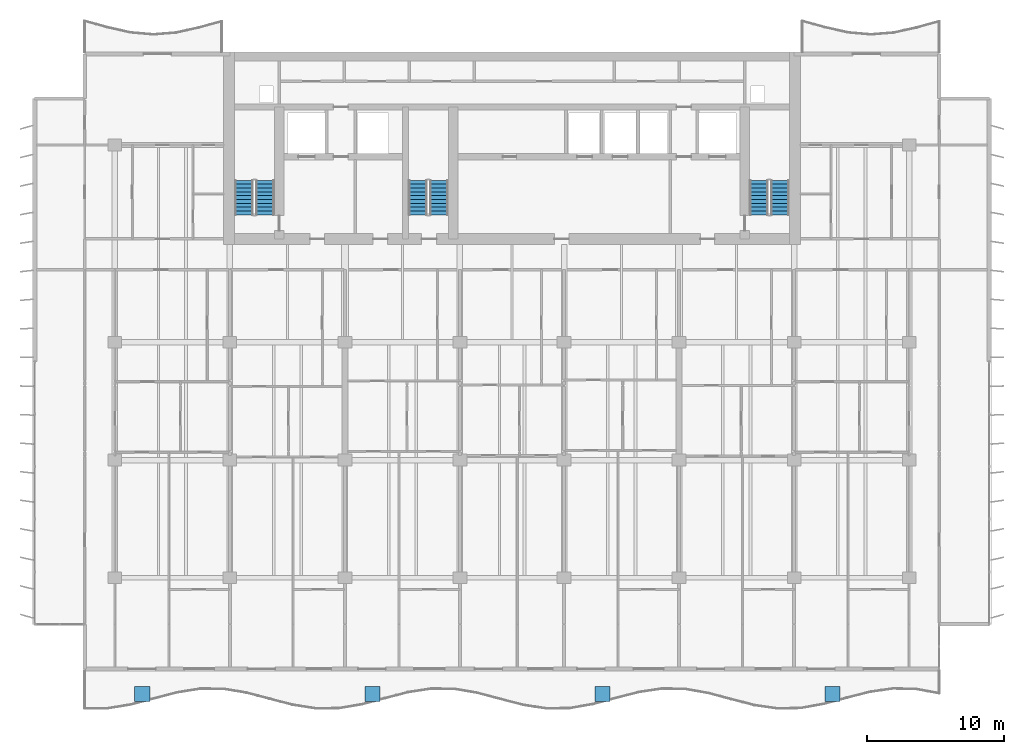
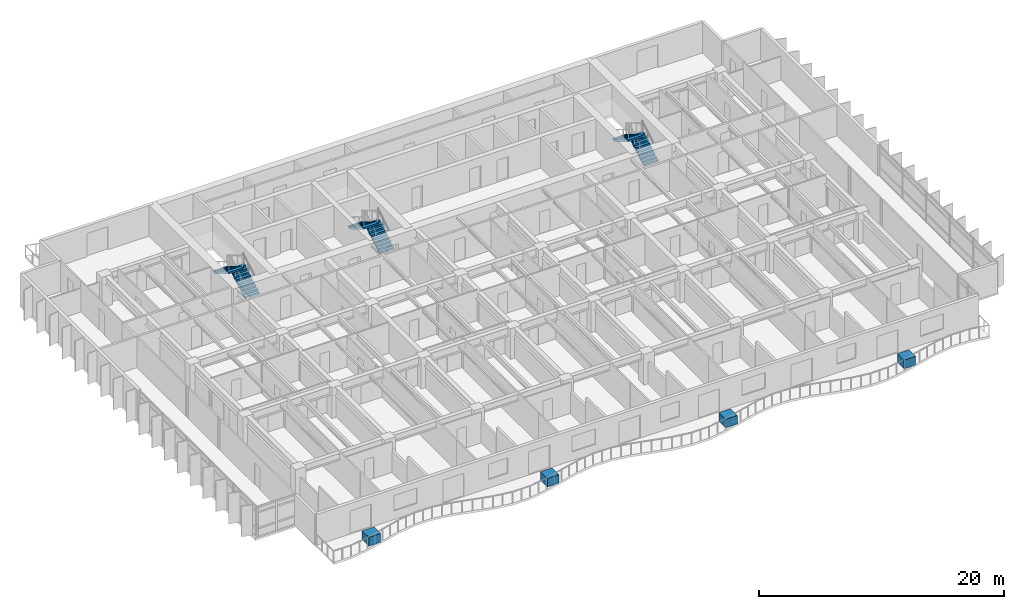
# One storey, part 14 of 18: 6 stair flights, 4 discrete accessories, 3 elements without a shape of their own.
"""IFC4 building model written with IfcOpenShell, lengths in metres."""

import ifcopenshell
import ifcopenshell.guid

model = None  # the IFC model being written
_history = None  # IfcOwnerHistory: only IFC2X3 demands one
_inside = {}  # id of a spatial element -> (the spatial element, [elements in it])
_under = {}  # id of a project, library or spatial element -> (it, [spatial elements below it])
_declared = {}  # id of a project -> (the project, [libraries it declares])
_typed = {}  # id of a type object -> (the type object, [elements of that type])
_made_of = {}  # id of a material, layer set ... -> (it, [elements and type objects made of it])


def new_model(schema):
    """Start an empty IFC model of exactly this schema.

    Asked for "IFC4X3", IfcOpenShell would pick the latest addendum, in which some entities
    have other attributes; the version numbers below select the first issue.
    IFC2X3 requires an IfcOwnerHistory on every rooted entity: one is made here for all.
    """
    global model, _history
    if schema == "IFC4X3":
        model = ifcopenshell.file(schema_version=(4, 3, 0, 0))
    else:
        model = ifcopenshell.file(schema=schema)
    _inside.clear()
    _under.clear()
    _declared.clear()
    _typed.clear()
    _made_of.clear()
    _history = None
    if model.schema == "IFC2X3":
        org = make("IfcOrganization", Name="unknown")
        user = make(
            "IfcPersonAndOrganization",
            ThePerson=make("IfcPerson", FamilyName="unknown"),
            TheOrganization=org,
        )
        app = make(
            "IfcApplication",
            ApplicationDeveloper=org,
            Version="unknown",
            ApplicationFullName="unknown",
            ApplicationIdentifier="unknown",
        )
        _history = make(
            "IfcOwnerHistory",
            OwningUser=user,
            OwningApplication=app,
            ChangeAction="ADDED",
            CreationDate=0,
        )
    return model


def make(cls, **values):
    """One entity of the class cls with the attributes given. An attribute that is None is left unset."""
    return model.create_entity(
        cls, **{name: value for name, value in values.items() if value is not None}
    )


def rooted(cls, **values):
    """An entity with a GlobalId (a new one), such as an element, a storey or a relation."""
    return make(cls, GlobalId=ifcopenshell.guid.new(), OwnerHistory=_history, **values)


def si_unit(unit_type, name, prefix=None):
    """IfcSIUnit, for example si_unit("LENGTHUNIT", "METRE", prefix="MILLI")."""
    return make("IfcSIUnit", UnitType=unit_type, Prefix=prefix, Name=name)


def assignment(units):
    """IfcUnitAssignment: the units of a project."""
    return None if units is None else make("IfcUnitAssignment", Units=units)


def point(xyz):
    """IfcCartesianPoint."""
    return None if xyz is None else make("IfcCartesianPoint", Coordinates=xyz)


def direction(xyz):
    """IfcDirection."""
    return None if xyz is None else make("IfcDirection", DirectionRatios=xyz)


def frame(location, z_axis=None, x_axis=None):
    """IfcAxis2Placement3D, a coordinate frame: its origin and axes. An axis left out is left unset."""
    return make(
        "IfcAxis2Placement3D",
        Location=point(location),
        Axis=direction(z_axis),
        RefDirection=direction(x_axis),
    )


def frame_2d(location, x_axis=None):
    """IfcAxis2Placement2D, a coordinate frame in the plane: its origin and x axis."""
    return make(
        "IfcAxis2Placement2D", Location=point(location), RefDirection=direction(x_axis)
    )


def origin():
    """The frame at (0, 0, 0) with its axes left unset."""
    return frame((0.0, 0.0, 0.0))


def origin_2d():
    """The frame at (0, 0) in the plane with its x axis left unset."""
    return frame_2d((0.0, 0.0))


def place(relative_to, where):
    """IfcLocalPlacement: puts the frame where relative to a parent placement (None: the world)."""
    return make(
        "IfcLocalPlacement", PlacementRelTo=relative_to, RelativePlacement=where
    )


def context(
    kind, dimensions, precision=None, world=None, true_north=None, identifier=None
):
    """IfcGeometricRepresentationContext, for example the 3D "Model" context."""
    return make(
        "IfcGeometricRepresentationContext",
        ContextIdentifier=identifier,
        ContextType=kind,
        CoordinateSpaceDimension=dimensions,
        Precision=precision,
        WorldCoordinateSystem=world,
        TrueNorth=true_north,
    )


def subcontext(parent, identifier, kind, view, scale=None):
    """IfcGeometricRepresentationSubContext, for example "Body" below "Model"."""
    return make(
        "IfcGeometricRepresentationSubContext",
        ContextIdentifier=identifier,
        ContextType=kind,
        ParentContext=parent,
        TargetScale=scale,
        TargetView=view,
    )


def project(units=None, contexts=None):
    """IfcProject with its units and contexts."""
    return rooted(
        "IfcProject",
        Name="project",
        RepresentationContexts=contexts,
        UnitsInContext=assignment(units),
    )


def spatial(cls, under=None, at=None, **own):
    """A site, building, storey or space (cls), placed at a placement, below another one or the project."""
    s = rooted(cls, ObjectPlacement=at, **own)
    if under is not None:
        _under.setdefault(under.id(), (under, []))[1].append(s)
    return s


def polyline(points):
    """IfcPolyline through the points."""
    return make("IfcPolyline", Points=[point(p) for p in points])


def profile(cls, at=None, kind="AREA", **sizes):
    """A parametric profile (cls). Its sizes go by their IFC names, for example OverallWidth=200.0."""
    return make(cls, ProfileType=kind, Position=at, **sizes)


def rectangle(**sizes):
    """IfcRectangleProfileDef."""
    return profile("IfcRectangleProfileDef", **sizes)


def outline(outer, holes=None, kind="AREA"):
    """IfcArbitraryClosedProfileDef: a profile drawn as a closed curve; with holes, ...WithVoids."""
    if holes is None:
        return make("IfcArbitraryClosedProfileDef", ProfileType=kind, OuterCurve=outer)
    return make(
        "IfcArbitraryProfileDefWithVoids",
        ProfileType=kind,
        OuterCurve=outer,
        InnerCurves=holes,
    )


def extrude(swept, where, along, depth):
    """IfcExtrudedAreaSolid: the profile swept, set in the frame where, extruded along a direction by depth."""
    return make(
        "IfcExtrudedAreaSolid",
        SweptArea=swept,
        Position=where,
        ExtrudedDirection=direction(along),
        Depth=depth,
    )


def shape(context_of_items, identifier, shape_type, items):
    """IfcShapeRepresentation: the items that make up one representation, for example the "Body"."""
    return make(
        "IfcShapeRepresentation",
        ContextOfItems=context_of_items,
        RepresentationIdentifier=identifier,
        RepresentationType=shape_type,
        Items=items,
    )


def material(Name=None, Category=None):
    """IfcMaterial."""
    return make("IfcMaterial", Name=Name, Category=Category)


def made_of(thing, what):
    """Note that an element or type object is made of a material, layer set ...; save() writes the relation."""
    if what is not None:
        _made_of.setdefault(what.id(), (what, []))[1].append(thing)
    return thing


def type_object(cls, material=None, **own):
    """A type object (cls), such as IfcWallType, which elements share."""
    return made_of(rooted(cls, **own), material)


def element(
    cls,
    number,
    at=None,
    inside=None,
    cuts=None,
    type_object=None,
    material=None,
    context=None,
    identifier="Body",
    shape_type=None,
    held_by="IfcProductDefinitionShape",
    body=None,
    shapes=None,
    **own,
):
    """One element of the class cls, such as IfcWall. Its Tag is "e" and its number.

    at: its placement. inside: the storey or other place that contains it. cuts: it is an
    opening in that element (IfcRelVoidsElement). A single representation is given by context,
    identifier, shape_type and body (its items); several are given by shapes. held_by: the class
    of the entity that holds the representations. save() writes the other relations.
    """
    e = rooted(cls, Tag="e%d" % number, ObjectPlacement=at, **own)
    if body is not None:
        shapes = [shape(context, identifier, shape_type, body)]
    if shapes is not None:
        e.Representation = make(held_by, Representations=shapes)
    if inside is not None:
        _inside.setdefault(inside.id(), (inside, []))[1].append(e)
    if cuts is not None:
        rooted(
            "IfcRelVoidsElement", RelatingBuildingElement=cuts, RelatedOpeningElement=e
        )
    if type_object is not None:
        _typed.setdefault(type_object.id(), (type_object, []))[1].append(e)
    return made_of(e, material)


def aggregate(whole, parts):
    """IfcRelAggregates: a whole, such as a stair, and the parts it consists of."""
    return rooted("IfcRelAggregates", RelatingObject=whole, RelatedObjects=parts)


def save(model, path):
    """Write the relations noted so far, then the file.

    IfcRelAggregates (storeys below a building ...), IfcRelContainedInSpatialStructure (elements
    in a storey), IfcRelDefinesByType, IfcRelAssociatesMaterial and IfcRelDeclares: one each for
    every whole, place, type object, material and project.
    """
    for whole, parts in _under.values():
        aggregate(whole, parts)
    for where, things in _inside.values():
        rooted(
            "IfcRelContainedInSpatialStructure",
            RelatedElements=things,
            RelatingStructure=where,
        )
    for kind, things in _typed.values():
        rooted("IfcRelDefinesByType", RelatedObjects=things, RelatingType=kind)
    for what, things in _made_of.values():
        rooted("IfcRelAssociatesMaterial", RelatedObjects=things, RelatingMaterial=what)
    for by, libraries in _declared.values():
        rooted("IfcRelDeclares", RelatingContext=by, RelatedDefinitions=libraries)
    model.write(path)


model = new_model("IFC4")

# Units and contexts
model_context = context("Model", 3, precision=1e-05, world=origin(), true_north=direction((0.0, 1.0)))
body_context = subcontext(model_context, "Body", "Model", "MODEL_VIEW")
ifc_project = project(units=[si_unit("LENGTHUNIT", "METRE"), si_unit("AREAUNIT", "SQUARE_METRE"), si_unit("VOLUMEUNIT", "CUBIC_METRE"), si_unit("PLANEANGLEUNIT", "RADIAN"), si_unit("MASSUNIT", "GRAM", prefix="KILO")], contexts=[model_context])

# Site, building, storey
site_placement = place(None, origin())
site = spatial("IfcSite", under=ifc_project, at=site_placement, CompositionType="ELEMENT")
building_placement = place(site_placement, origin())
building = spatial("IfcBuilding", under=site, at=building_placement, Name="Caelmar Bay Residences", CompositionType="ELEMENT")
storey_placement = place(building_placement, frame((0.0, 0.0, 129.0)))
storey = spatial("IfcBuildingStorey", under=building, at=storey_placement, Name="L35", CompositionType="ELEMENT", Elevation=129.0)

# Stair, stair flights
ifc_material_1 = material(Name="Concrete f'c 40 MPa (6,000 psi)", Category="concrete")
stair_type = type_object("IfcStairType", Name="ST-TYP-165", PredefinedType="HALF_TURN_STAIR", material=ifc_material_1)
stair_1_placement = place(storey_placement, origin())
stair_1 = element("IfcStair", 1, at=stair_1_placement, inside=storey, type_object=stair_type, Name="L35 West Smokeproof Exit Stair ST1", PredefinedType="HALF_TURN_STAIR")
stair_flight_type = type_object("IfcStairFlightType", Name="STF-1350", PredefinedType="STRAIGHT", material=ifc_material_1)
stair_flight_1_placement = place(storey_placement, frame((20.875, 38.699951171875, 0.0), z_axis=(0.0, 0.0, 1.0), x_axis=(0.0, 1.0, 0.0)))
stair_flight_1 = element("IfcStairFlight", 2, at=stair_flight_1_placement, type_object=stair_flight_type, Name="ST1 flight 1", NumberOfRisers=10, NumberOfTreads=9, PredefinedType="STRAIGHT", RiserHeight=0.165, TreadLength=0.28, context=body_context, shape_type="SweptSolid", body=[
    extrude(outline(polyline([(0.0, 0.0), (0.0, 0.1650390625), (0.280029296875, 0.1650390625), (0.280029296875, 0.330078125), (0.56005859375, 0.330078125), (0.56005859375, 0.4951171875), (0.840087890625, 0.4951171875), (0.840087890625, 0.659912109375), (1.1201171875, 0.659912109375), (1.1201171875, 0.824951171875), (1.39990234375, 0.824951171875), (1.39990234375, 0.989990234375), (1.679931640625, 0.989990234375), (1.679931640625, 1.155029296875), (1.9599609375, 1.155029296875), (1.9599609375, 1.320068359375), (2.239990234375, 1.320068359375), (2.239990234375, 1.485107421875), (2.52001953125, 1.485107421875), (2.52001953125, 1.64990234375), (2.52001953125, 1.31103515625), (0.295166015625, 0.0), (0.0, 0.0)])), frame((0.0, 0.675048828125, 0.0), z_axis=(0.0, -1.0, 0.0), x_axis=(1.0, 0.0, 0.0)), (0.0, 0.0, 1.0), 1.35009765625),
])
stair_flight_2_placement = place(storey_placement, frame((19.324951171875, 41.219970703125, 1.64990234375), z_axis=(0.0, 0.0, 1.0), x_axis=(0.0, -1.0, 0.0)))
stair_flight_2 = element("IfcStairFlight", 3, at=stair_flight_2_placement, type_object=stair_flight_type, Name="ST1 flight 2", NumberOfRisers=10, NumberOfTreads=9, PredefinedType="STRAIGHT", RiserHeight=0.165, TreadLength=0.28, context=body_context, shape_type="SweptSolid", body=[
    extrude(outline(polyline([(0.0, 0.0), (0.0, 0.1650390625), (0.280029296875, 0.1650390625), (0.280029296875, 0.330078125), (0.56005859375, 0.330078125), (0.56005859375, 0.4951171875), (0.840087890625, 0.4951171875), (0.840087890625, 0.659912109375), (1.1201171875, 0.659912109375), (1.1201171875, 0.824951171875), (1.39990234375, 0.824951171875), (1.39990234375, 0.989990234375), (1.679931640625, 0.989990234375), (1.679931640625, 1.155029296875), (1.9599609375, 1.155029296875), (1.9599609375, 1.320068359375), (2.239990234375, 1.320068359375), (2.239990234375, 1.485107421875), (2.52001953125, 1.485107421875), (2.52001953125, 1.64990234375), (2.52001953125, 1.31103515625), (0.295166015625, 0.0), (0.0, 0.0)])), frame((0.0, 0.675048828125, 0.0), z_axis=(0.0, -1.0, 0.0), x_axis=(1.0, 0.0, 0.0)), (0.0, 0.0, 1.0), 1.35009765625),
])
aggregate(stair_1, [stair_flight_1, stair_flight_2])

stair_2_placement = place(storey_placement, origin())
stair_2 = element("IfcStair", 4, at=stair_2_placement, inside=storey, type_object=stair_type, Name="L35 East Smokeproof Exit Stair ST2", PredefinedType="HALF_TURN_STAIR")
stair_flight_3_placement = place(storey_placement, frame((58.47509765625, 38.699951171875, 0.0), z_axis=(0.0, 0.0, 1.0), x_axis=(0.0, 1.0, 0.0)))
stair_flight_3 = element("IfcStairFlight", 5, at=stair_flight_3_placement, type_object=stair_flight_type, Name="ST2 flight 1", NumberOfRisers=10, NumberOfTreads=9, PredefinedType="STRAIGHT", RiserHeight=0.165, TreadLength=0.28, context=body_context, shape_type="SweptSolid", body=[
    extrude(outline(polyline([(0.0, 0.0), (0.0, 0.1650390625), (0.280029296875, 0.1650390625), (0.280029296875, 0.330078125), (0.56005859375, 0.330078125), (0.56005859375, 0.4951171875), (0.840087890625, 0.4951171875), (0.840087890625, 0.659912109375), (1.1201171875, 0.659912109375), (1.1201171875, 0.824951171875), (1.39990234375, 0.824951171875), (1.39990234375, 0.989990234375), (1.679931640625, 0.989990234375), (1.679931640625, 1.155029296875), (1.9599609375, 1.155029296875), (1.9599609375, 1.320068359375), (2.239990234375, 1.320068359375), (2.239990234375, 1.485107421875), (2.52001953125, 1.485107421875), (2.52001953125, 1.64990234375), (2.52001953125, 1.31103515625), (0.295166015625, 0.0), (0.0, 0.0)])), frame((0.0, 0.675048828125, 0.0), z_axis=(0.0, -1.0, 0.0), x_axis=(1.0, 0.0, 0.0)), (0.0, 0.0, 1.0), 1.35009765625),
])
stair_flight_4_placement = place(storey_placement, frame((56.925048828125, 41.219970703125, 1.64990234375), z_axis=(0.0, 0.0, 1.0), x_axis=(0.0, -1.0, 0.0)))
stair_flight_4 = element("IfcStairFlight", 6, at=stair_flight_4_placement, type_object=stair_flight_type, Name="ST2 flight 2", NumberOfRisers=10, NumberOfTreads=9, PredefinedType="STRAIGHT", RiserHeight=0.165, TreadLength=0.28, context=body_context, shape_type="SweptSolid", body=[
    extrude(outline(polyline([(0.0, 0.0), (0.0, 0.1650390625), (0.280029296875, 0.1650390625), (0.280029296875, 0.330078125), (0.56005859375, 0.330078125), (0.56005859375, 0.4951171875), (0.840087890625, 0.4951171875), (0.840087890625, 0.659912109375), (1.1201171875, 0.659912109375), (1.1201171875, 0.824951171875), (1.39990234375, 0.824951171875), (1.39990234375, 0.989990234375), (1.679931640625, 0.989990234375), (1.679931640625, 1.155029296875), (1.9599609375, 1.155029296875), (1.9599609375, 1.320068359375), (2.239990234375, 1.320068359375), (2.239990234375, 1.485107421875), (2.52001953125, 1.485107421875), (2.52001953125, 1.64990234375), (2.52001953125, 1.31103515625), (0.295166015625, 0.0), (0.0, 0.0)])), frame((0.0, 0.675048828125, 0.0), z_axis=(0.0, -1.0, 0.0), x_axis=(1.0, 0.0, 0.0)), (0.0, 0.0, 1.0), 1.35009765625),
])
aggregate(stair_2, [stair_flight_3, stair_flight_4])

stair_3_placement = place(storey_placement, origin())
stair_3 = element("IfcStair", 7, at=stair_3_placement, inside=storey, type_object=stair_type, Name="L35 Central Smokeproof Exit Stair ST3", PredefinedType="HALF_TURN_STAIR")
stair_flight_5_placement = place(storey_placement, frame((33.574951171875, 38.699951171875, 0.0), z_axis=(0.0, 0.0, 1.0), x_axis=(0.0, 1.0, 0.0)))
stair_flight_5 = element("IfcStairFlight", 8, at=stair_flight_5_placement, type_object=stair_flight_type, Name="ST3 flight 1", NumberOfRisers=10, NumberOfTreads=9, PredefinedType="STRAIGHT", RiserHeight=0.165, TreadLength=0.28, context=body_context, shape_type="SweptSolid", body=[
    extrude(outline(polyline([(0.0, 0.0), (0.0, 0.1650390625), (0.280029296875, 0.1650390625), (0.280029296875, 0.330078125), (0.56005859375, 0.330078125), (0.56005859375, 0.4951171875), (0.840087890625, 0.4951171875), (0.840087890625, 0.659912109375), (1.1201171875, 0.659912109375), (1.1201171875, 0.824951171875), (1.39990234375, 0.824951171875), (1.39990234375, 0.989990234375), (1.679931640625, 0.989990234375), (1.679931640625, 1.155029296875), (1.9599609375, 1.155029296875), (1.9599609375, 1.320068359375), (2.239990234375, 1.320068359375), (2.239990234375, 1.485107421875), (2.52001953125, 1.485107421875), (2.52001953125, 1.64990234375), (2.52001953125, 1.31103515625), (0.295166015625, 0.0), (0.0, 0.0)])), frame((0.0, 0.675048828125, 0.0), z_axis=(0.0, -1.0, 0.0), x_axis=(1.0, 0.0, 0.0)), (0.0, 0.0, 1.0), 1.35009765625),
])
stair_flight_6_placement = place(storey_placement, frame((32.02490234375, 41.219970703125, 1.64990234375), z_axis=(0.0, 0.0, 1.0), x_axis=(0.0, -1.0, 0.0)))
stair_flight_6 = element("IfcStairFlight", 9, at=stair_flight_6_placement, type_object=stair_flight_type, Name="ST3 flight 2", NumberOfRisers=10, NumberOfTreads=9, PredefinedType="STRAIGHT", RiserHeight=0.165, TreadLength=0.28, context=body_context, shape_type="SweptSolid", body=[
    extrude(outline(polyline([(0.0, 0.0), (0.0, 0.1650390625), (0.280029296875, 0.1650390625), (0.280029296875, 0.330078125), (0.56005859375, 0.330078125), (0.56005859375, 0.4951171875), (0.840087890625, 0.4951171875), (0.840087890625, 0.659912109375), (1.1201171875, 0.659912109375), (1.1201171875, 0.824951171875), (1.39990234375, 0.824951171875), (1.39990234375, 0.989990234375), (1.679931640625, 0.989990234375), (1.679931640625, 1.155029296875), (1.9599609375, 1.155029296875), (1.9599609375, 1.320068359375), (2.239990234375, 1.320068359375), (2.239990234375, 1.485107421875), (2.52001953125, 1.485107421875), (2.52001953125, 1.64990234375), (2.52001953125, 1.31103515625), (0.295166015625, 0.0), (0.0, 0.0)])), frame((0.0, 0.675048828125, 0.0), z_axis=(0.0, -1.0, 0.0), x_axis=(1.0, 0.0, 0.0)), (0.0, 0.0, 1.0), 1.35009765625),
])
aggregate(stair_3, [stair_flight_5, stair_flight_6])

# Discrete accessories
ifc_material_2 = material(Name="Architectural bronze GRC planter trough with volcanic-lapilli substrate")
discrete_accessory_type = type_object("IfcDiscreteAccessoryType", Name="ACC-PLANTER-1100", PredefinedType="USERDEFINED", material=ifc_material_2)
for number, where, z_axis, x_axis, name in (
    (10, (11.89990234375, 3.71826171875, 0.0), (0.0, 0.0, 1.0), (1.0, 0.0, 0.0), "L35 Balcony Structural Tree Planter 1"),
    (11, (28.699951171875, 3.71826171875, 0.0), (0.0, 0.0, 1.0), (1.0, 0.0, 0.0), "L35 Balcony Structural Tree Planter 2"),
    (12, (45.5, 3.71826171875, 0.0), (0.0, 0.0, 1.0), (1.0, 0.0, 0.0), "L35 Balcony Structural Tree Planter 3"),
    (13, (62.300048828125, 3.71826171875, 0.0), (0.0, 0.0, 1.0), (1.0, 0.0, 0.0), "L35 Balcony Structural Tree Planter 4"),
):
    element("IfcDiscreteAccessory", number, at=place(storey_placement, frame(where, z_axis=z_axis, x_axis=x_axis)), inside=storey, type_object=discrete_accessory_type, Name=name, ObjectType="PLANTER", PredefinedType="USERDEFINED", context=body_context, shape_type="SweptSolid", body=[
        extrude(rectangle(XDim=1.10009765625, YDim=1.10009765625, at=origin_2d()), origin(), (0.0, 0.0, 1.0), 0.85009765625),
    ])

save(model, "model.ifc")
